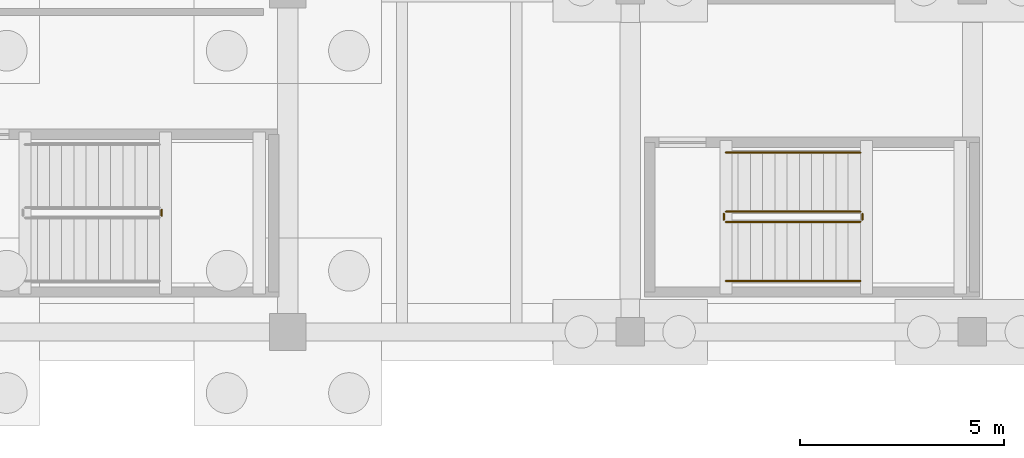
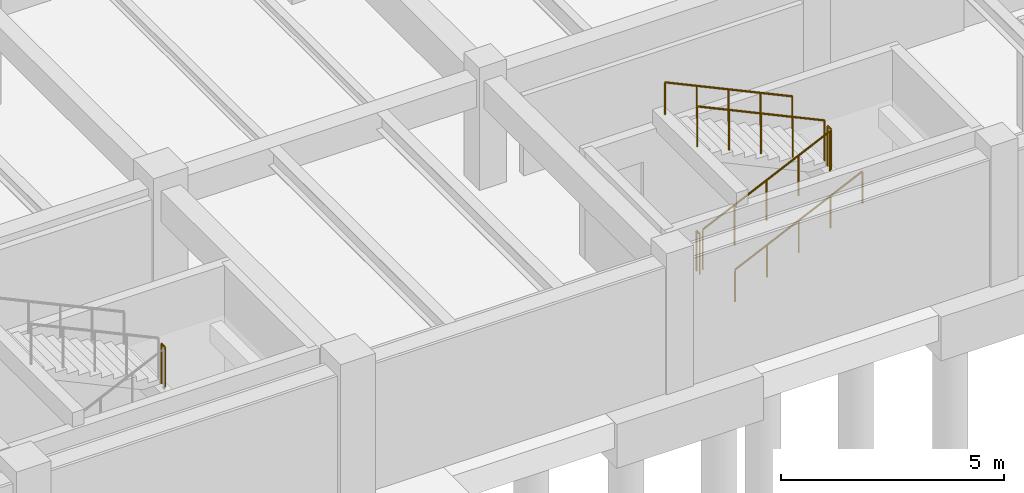
# One storey, part 59 of 70: 7 railings.
"""IFC4 building model written with IfcOpenShell, lengths in metres."""

from ifc_helpers import new_model, si_unit, direction, frame, origin, origin_2d, place, context, subcontext, project, spatial, circle, extrude, material, type_object, element, save


model = new_model("IFC4")

# Units and contexts
model_context = context("Model", 3, precision=1e-05, world=origin(), true_north=direction((0.0, 1.0)))
body_context = subcontext(model_context, "Body", "Model", "MODEL_VIEW")
ifc_project = project(units=[si_unit("LENGTHUNIT", "METRE"), si_unit("AREAUNIT", "SQUARE_METRE"), si_unit("VOLUMEUNIT", "CUBIC_METRE"), si_unit("PLANEANGLEUNIT", "RADIAN"), si_unit("MASSUNIT", "GRAM", prefix="KILO")], contexts=[model_context])

# Site, building, storey
site_placement = place(None, origin())
site = spatial("IfcSite", under=ifc_project, at=site_placement, CompositionType="ELEMENT")
building_placement = place(site_placement, origin())
building = spatial("IfcBuilding", under=site, at=building_placement, Name="Cumbredor Promenade Congress Hotel", CompositionType="ELEMENT")
storey_placement = place(building_placement, frame((0.0, 0.0, -7.56005859375)))
storey = spatial("IfcBuildingStorey", under=building, at=storey_placement, Name="B02", CompositionType="ELEMENT", Elevation=-7.56005859375)

# Railings
ifc_material = material(Name="Brushed stainless steel", Category="steel")
railing_type_1 = type_object("IfcRailingType", Name="Interior Void & Stair Guardrail GR-1100", PredefinedType="GUARDRAIL", material=ifc_material)
railing_1_placement = place(storey_placement, frame((64.10009765625, 11.25, 1.68017578125)))
element("IfcRailing", 1, at=railing_1_placement, inside=storey, type_object=railing_type_1, Name="B02 ST-05 stair guard 2", PredefinedType="GUARDRAIL", context=body_context, shape_type="SweptSolid", body=[
    extrude(circle(Radius=0.02392578125, at=origin_2d()), frame((0.0, 0.0, 1.09619140625), z_axis=(0.0, 1.0, 0.0), x_axis=(-1.0, 0.0, 0.0)), (0.0, 0.0, 1.0), 0.14990234375),
    extrude(circle(Radius=0.02099609375, at=origin_2d()), origin(), (0.0, 0.0, 1.0), 1.072021484375),
    extrude(circle(Radius=0.02099609375, at=origin_2d()), frame((0.0, 0.14990234375, 0.0)), (0.0, 0.0, 1.0), 1.072021484375),
])
railing_2_placement = place(storey_placement, frame((77.949951171875, 11.10009765625, 0.14013671875)))
element("IfcRailing", 2, at=railing_2_placement, inside=storey, type_object=railing_type_1, Name="B02 ST-11 stair guard 1", PredefinedType="GUARDRAIL", context=body_context, shape_type="SweptSolid", body=[
    extrude(circle(Radius=0.02392578125, at=origin_2d()), frame((0.0, 0.0, 1.09619140625), z_axis=(0.906181427284, 0.0, 0.422889135408), x_axis=(0.0, 1.0, 0.0)), (0.0, 0.0, 1.0), 3.6416015625),
    extrude(circle(Radius=0.02099609375, at=origin_2d()), origin(), (0.0, 0.0, 1.0), 1.072021484375),
    extrude(circle(Radius=0.02099609375, at=origin_2d()), frame((0.824951171875, 0.0, 0.385009765625)), (0.0, 0.0, 1.0), 1.072021484375),
    extrude(circle(Radius=0.02099609375, at=origin_2d()), frame((1.64990234375, 0.0, 0.77001953125)), (0.0, 0.0, 1.0), 1.072021484375),
    extrude(circle(Radius=0.02099609375, at=origin_2d()), frame((2.47509765625, 0.0, 1.155029296875)), (0.0, 0.0, 1.0), 1.072021484375),
    extrude(circle(Radius=0.02099609375, at=origin_2d()), frame((3.300048828125, 0.0, 1.5400390625)), (0.0, 0.0, 1.0), 1.072021484375),
])
railing_3_placement = place(storey_placement, frame((81.300048828125, 11.14990234375, 1.68017578125)))
element("IfcRailing", 3, at=railing_3_placement, inside=storey, type_object=railing_type_1, Name="B02 ST-11 stair guard 2", PredefinedType="GUARDRAIL", context=body_context, shape_type="SweptSolid", body=[
    extrude(circle(Radius=0.02392578125, at=origin_2d()), frame((0.0, 0.0, 1.09619140625), z_axis=(0.0, 1.0, 0.0), x_axis=(-1.0, 0.0, 0.0)), (0.0, 0.0, 1.0), 0.150146484375),
    extrude(circle(Radius=0.02099609375, at=origin_2d()), origin(), (0.0, 0.0, 1.0), 1.072021484375),
    extrude(circle(Radius=0.02099609375, at=origin_2d()), frame((0.0, 0.150146484375, 0.0)), (0.0, 0.0, 1.0), 1.072021484375),
])
railing_4_placement = place(storey_placement, frame((81.25, 11.35009765625, 1.820068359375)))
element("IfcRailing", 4, at=railing_4_placement, inside=storey, type_object=railing_type_1, Name="B02 ST-11 stair guard 3", PredefinedType="GUARDRAIL", context=body_context, shape_type="SweptSolid", body=[
    extrude(circle(Radius=0.02392578125, at=origin_2d()), frame((0.0, 0.0, 1.09619140625), z_axis=(-0.906181427284, 0.0, 0.422889135408), x_axis=(0.0, -1.0, 0.0)), (0.0, 0.0, 1.0), 3.6416015625),
    extrude(circle(Radius=0.02099609375, at=origin_2d()), origin(), (0.0, 0.0, 1.0), 1.072021484375),
    extrude(circle(Radius=0.02099609375, at=origin_2d()), frame((-0.824951171875, 0.0, 0.385009765625)), (0.0, 0.0, 1.0), 1.072021484375),
    extrude(circle(Radius=0.02099609375, at=origin_2d()), frame((-1.64990234375, 0.0, 0.77001953125)), (0.0, 0.0, 1.0), 1.072021484375),
    extrude(circle(Radius=0.02099609375, at=origin_2d()), frame((-2.47509765625, 0.0, 1.155029296875)), (0.0, 0.0, 1.0), 1.072021484375),
    extrude(circle(Radius=0.02099609375, at=origin_2d()), frame((-3.300048828125, 0.0, 1.5400390625)), (0.0, 0.0, 1.0), 1.072021484375),
])
railing_5_placement = place(storey_placement, frame((77.89990234375, 11.14990234375, 0.0)))
element("IfcRailing", 5, at=railing_5_placement, inside=storey, type_object=railing_type_1, Name="B02 ST-11 stair guard 4", PredefinedType="GUARDRAIL", context=body_context, shape_type="SweptSolid", body=[
    extrude(circle(Radius=0.02392578125, at=origin_2d()), frame((0.0, 0.0, 1.09619140625), z_axis=(0.0, 1.0, 0.0), x_axis=(-1.0, 0.0, 0.0)), (0.0, 0.0, 1.0), 0.150146484375),
    extrude(circle(Radius=0.02099609375, at=origin_2d()), origin(), (0.0, 0.0, 1.0), 1.072021484375),
    extrude(circle(Radius=0.02099609375, at=origin_2d()), frame((0.0, 0.150146484375, 0.0)), (0.0, 0.0, 1.0), 1.072021484375),
])
railing_type_2 = type_object("IfcRailingType", Name="Stair Pitch Handrail HR-900", PredefinedType="HANDRAIL", material=ifc_material)
railing_6_placement = place(storey_placement, frame((77.949951171875, 9.64990234375, 0.14013671875)))
element("IfcRailing", 6, at=railing_6_placement, inside=storey, type_object=railing_type_2, Name="B02 ST-11 stair handrail 1", PredefinedType="HANDRAIL", context=body_context, shape_type="SweptSolid", body=[
    extrude(circle(Radius=0.02392578125, at=origin_2d()), frame((0.0, 0.0, 0.8759765625), z_axis=(0.906181427284, 0.0, 0.422889135408), x_axis=(0.0, 1.0, 0.0)), (0.0, 0.0, 1.0), 3.6416015625),
    extrude(circle(Radius=0.02099609375, at=origin_2d()), origin(), (0.0, 0.0, 1.0), 0.851806640625),
    extrude(circle(Radius=0.02099609375, at=origin_2d()), frame((0.824951171875, 0.0, 0.385009765625)), (0.0, 0.0, 1.0), 0.851806640625),
    extrude(circle(Radius=0.02099609375, at=origin_2d()), frame((1.64990234375, 0.0, 0.77001953125)), (0.0, 0.0, 1.0), 0.851806640625),
    extrude(circle(Radius=0.02099609375, at=origin_2d()), frame((2.47509765625, 0.0, 1.155029296875)), (0.0, 0.0, 1.0), 0.851806640625),
    extrude(circle(Radius=0.02099609375, at=origin_2d()), frame((3.300048828125, 0.0, 1.5400390625)), (0.0, 0.0, 1.0), 0.851806640625),
])
railing_7_placement = place(storey_placement, frame((81.25, 12.800048828125, 1.820068359375)))
element("IfcRailing", 7, at=railing_7_placement, inside=storey, type_object=railing_type_2, Name="B02 ST-11 stair handrail 2", PredefinedType="HANDRAIL", context=body_context, shape_type="SweptSolid", body=[
    extrude(circle(Radius=0.02392578125, at=origin_2d()), frame((0.0, 0.0, 0.8759765625), z_axis=(-0.906181427284, 0.0, 0.422889135408), x_axis=(0.0, -1.0, 0.0)), (0.0, 0.0, 1.0), 3.6416015625),
    extrude(circle(Radius=0.02099609375, at=origin_2d()), origin(), (0.0, 0.0, 1.0), 0.851806640625),
    extrude(circle(Radius=0.02099609375, at=origin_2d()), frame((-0.824951171875, 0.0, 0.385009765625)), (0.0, 0.0, 1.0), 0.851806640625),
    extrude(circle(Radius=0.02099609375, at=origin_2d()), frame((-1.64990234375, 0.0, 0.77001953125)), (0.0, 0.0, 1.0), 0.851806640625),
    extrude(circle(Radius=0.02099609375, at=origin_2d()), frame((-2.47509765625, 0.0, 1.155029296875)), (0.0, 0.0, 1.0), 0.851806640625),
    extrude(circle(Radius=0.02099609375, at=origin_2d()), frame((-3.300048828125, 0.0, 1.5400390625)), (0.0, 0.0, 1.0), 0.851806640625),
])

save(model, "model.ifc")
